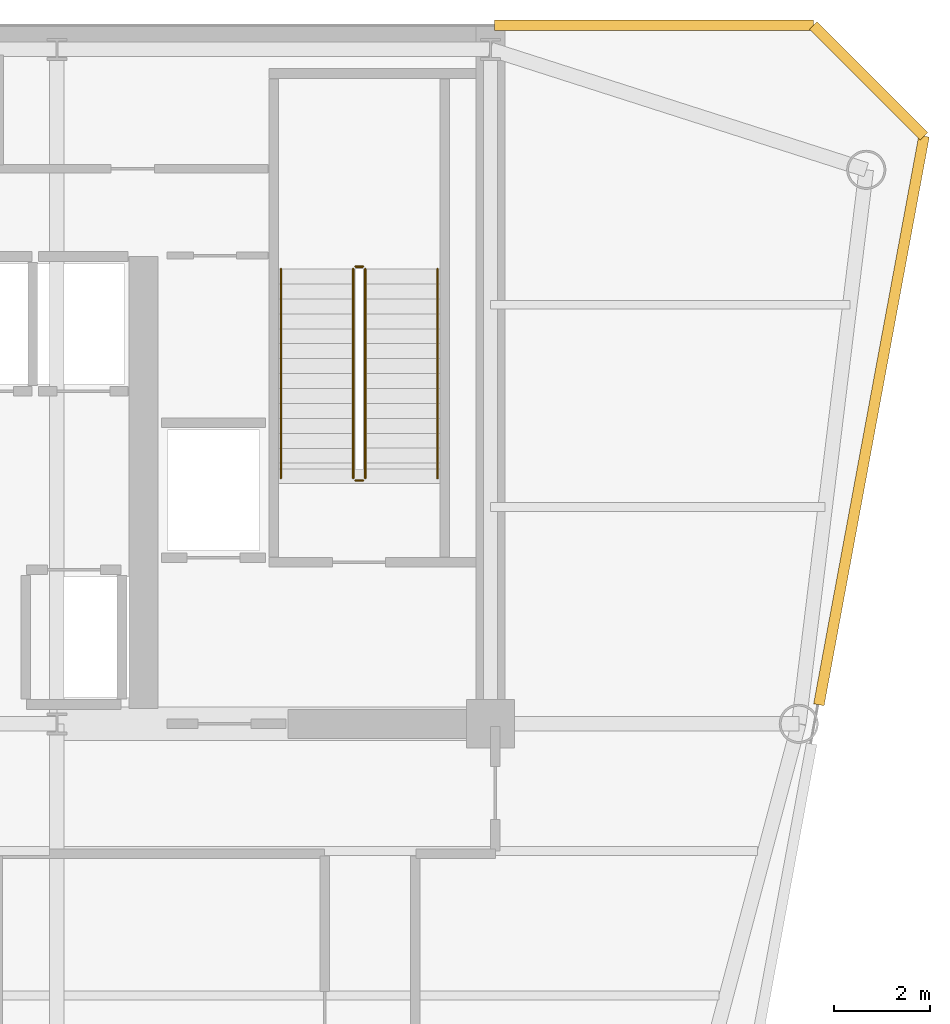
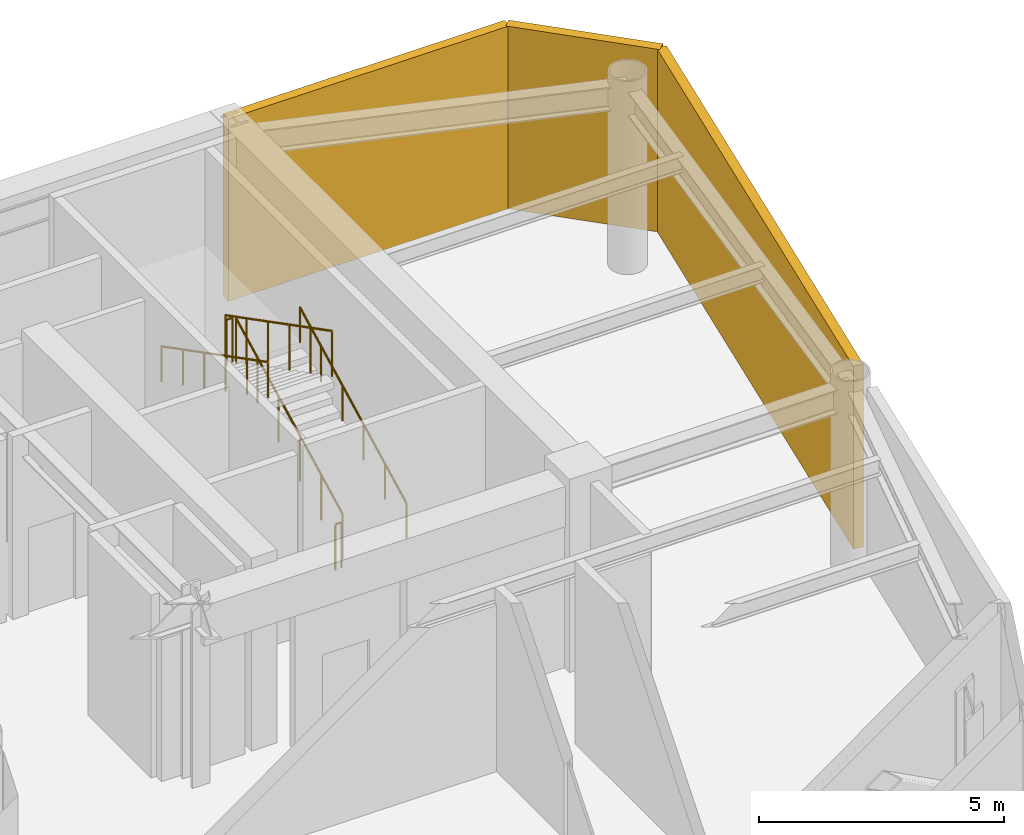
# One storey, part 9 of 9: 6 railings, 3 coverings.
"""IFC4 building model written with IfcOpenShell, lengths in metres."""

from ifc_helpers import new_model, si_unit, direction, frame, origin, origin_2d, place, context, subcontext, project, spatial, rectangle, circle, extrude, source, transform, mapped, material, layer, layer_set, type_object, element, save


model = new_model("IFC4")

# Units and contexts
model_context = context("Model", 3, precision=1e-05, world=origin(), true_north=direction((0.0, 1.0)))
body_context = subcontext(model_context, "Body", "Model", "MODEL_VIEW")
ifc_project = project(units=[si_unit("LENGTHUNIT", "METRE"), si_unit("AREAUNIT", "SQUARE_METRE"), si_unit("VOLUMEUNIT", "CUBIC_METRE"), si_unit("PLANEANGLEUNIT", "RADIAN"), si_unit("MASSUNIT", "GRAM", prefix="KILO")], contexts=[model_context])

# Site, building, storey
site_placement = place(None, origin())
site = spatial("IfcSite", under=ifc_project, at=site_placement, CompositionType="ELEMENT")
building_placement = place(site_placement, origin())
building = spatial("IfcBuilding", under=site, at=building_placement, Name="Vaeldorn Concourse Tower", CompositionType="ELEMENT")
storey_placement = place(building_placement, frame((0.0, 0.0, 218.39990234375)))
storey = spatial("IfcBuildingStorey", under=building, at=storey_placement, Name="L56", CompositionType="ELEMENT", Elevation=218.39990234375)

# Railings
ifc_material = material(Name="Anodised Bronze Aluminium", Category="aluminium")
railing_type_1 = type_object("IfcRailingType", Name="RL-STAIR-GUARD", PredefinedType="GUARDRAIL", material=ifc_material)
railing_1_placement = place(storey_placement, frame((51.39990234375, 41.60009765625, 0.16015625)))
element("IfcRailing", 1, at=railing_1_placement, inside=storey, type_object=railing_type_1, Name="L56 ST-2 stair guard 1", PredefinedType="GUARDRAIL", context=body_context, shape_type="SweptSolid", body=[
    extrude(circle(Radius=0.02392578125, at=origin_2d()), frame((0.0, 0.0, 1.1259765625), z_axis=(0.0, 0.888614742027, 0.458654379956), x_axis=(-1.0, 0.0, 0.0)), (0.0, 0.0, 1.0), 4.8837890625),
    extrude(circle(Radius=0.02099609375, at=origin_2d()), origin(), (0.0, 0.0, 1.0), 1.101806640625),
    extrude(circle(Radius=0.02099609375, at=origin_2d()), frame((0.0, 0.867919921875, 0.447998046875)), (0.0, 0.0, 1.0), 1.101806640625),
    extrude(circle(Radius=0.02099609375, at=origin_2d()), frame((0.0, 1.73583984375, 0.89599609375)), (0.0, 0.0, 1.0), 1.101806640625),
    extrude(circle(Radius=0.02099609375, at=origin_2d()), frame((0.0, 2.60400390625, 1.343994140625)), (0.0, 0.0, 1.0), 1.101806640625),
    extrude(circle(Radius=0.02099609375, at=origin_2d()), frame((0.0, 3.471923828125, 1.7919921875)), (0.0, 0.0, 1.0), 1.101806640625),
    extrude(circle(Radius=0.02099609375, at=origin_2d()), frame((0.0, 4.33984375, 2.239990234375)), (0.0, 0.0, 1.0), 1.101806640625),
])
railing_2_placement = place(storey_placement, frame((51.35009765625, 45.989990234375, 2.400146484375)))
element("IfcRailing", 2, at=railing_2_placement, inside=storey, type_object=railing_type_1, Name="L56 ST-2 stair guard 2", PredefinedType="GUARDRAIL", context=body_context, shape_type="SweptSolid", body=[
    extrude(circle(Radius=0.02392578125, at=origin_2d()), frame((0.0, 0.0, 1.1259765625), z_axis=(-1.0, 0.0, 0.0), x_axis=(0.0, -1.0, 0.0)), (0.0, 0.0, 1.0), 0.150146484375),
    extrude(circle(Radius=0.02099609375, at=origin_2d()), origin(), (0.0, 0.0, 1.0), 1.101806640625),
    extrude(circle(Radius=0.02099609375, at=origin_2d()), frame((-0.150146484375, 0.0, 0.0)), (0.0, 0.0, 1.0), 1.101806640625),
])
railing_3_placement = place(storey_placement, frame((51.14990234375, 45.93994140625, 2.56005859375)))
element("IfcRailing", 3, at=railing_3_placement, inside=storey, type_object=railing_type_1, Name="L56 ST-2 stair guard 3", PredefinedType="GUARDRAIL", context=body_context, shape_type="SweptSolid", body=[
    extrude(circle(Radius=0.02392578125, at=origin_2d()), frame((0.0, 0.0, 1.1259765625), z_axis=(0.0, -0.888614742027, 0.458654379956), x_axis=(1.0, 0.0, 0.0)), (0.0, 0.0, 1.0), 4.8837890625),
    extrude(circle(Radius=0.02099609375, at=origin_2d()), origin(), (0.0, 0.0, 1.0), 1.101806640625),
    extrude(circle(Radius=0.02099609375, at=origin_2d()), frame((0.0, -0.867919921875, 0.447998046875)), (0.0, 0.0, 1.0), 1.101806640625),
    extrude(circle(Radius=0.02099609375, at=origin_2d()), frame((0.0, -1.73583984375, 0.89599609375)), (0.0, 0.0, 1.0), 1.101806640625),
    extrude(circle(Radius=0.02099609375, at=origin_2d()), frame((0.0, -2.60400390625, 1.343994140625)), (0.0, 0.0, 1.0), 1.101806640625),
    extrude(circle(Radius=0.02099609375, at=origin_2d()), frame((0.0, -3.471923828125, 1.7919921875)), (0.0, 0.0, 1.0), 1.101806640625),
    extrude(circle(Radius=0.02099609375, at=origin_2d()), frame((0.0, -4.33984375, 2.239990234375)), (0.0, 0.0, 1.0), 1.101806640625),
])
railing_4_placement = place(storey_placement, frame((51.35009765625, 41.550048828125, 0.0)))
element("IfcRailing", 4, at=railing_4_placement, inside=storey, type_object=railing_type_1, Name="L56 ST-2 stair guard 4", PredefinedType="GUARDRAIL", context=body_context, shape_type="SweptSolid", body=[
    extrude(circle(Radius=0.02392578125, at=origin_2d()), frame((0.0, 0.0, 1.1259765625), z_axis=(-1.0, 0.0, 0.0), x_axis=(0.0, -1.0, 0.0)), (0.0, 0.0, 1.0), 0.150146484375),
    extrude(circle(Radius=0.02099609375, at=origin_2d()), origin(), (0.0, 0.0, 1.0), 1.101806640625),
    extrude(circle(Radius=0.02099609375, at=origin_2d()), frame((-0.150146484375, 0.0, 0.0)), (0.0, 0.0, 1.0), 1.101806640625),
])
railing_type_2 = type_object("IfcRailingType", Name="RL-STAIR-HANDRAIL", PredefinedType="HANDRAIL", material=ifc_material)
railing_5_placement = place(storey_placement, frame((52.89990234375, 41.60009765625, 0.16015625)))
element("IfcRailing", 5, at=railing_5_placement, inside=storey, type_object=railing_type_2, Name="L56 ST-2 stair handrail 1", PredefinedType="HANDRAIL", context=body_context, shape_type="SweptSolid", body=[
    extrude(circle(Radius=0.02392578125, at=origin_2d()), frame((0.0, 0.0, 0.8759765625), z_axis=(0.0, 0.888614742027, 0.458654379956), x_axis=(-1.0, 0.0, 0.0)), (0.0, 0.0, 1.0), 4.8837890625),
    extrude(circle(Radius=0.02099609375, at=origin_2d()), origin(), (0.0, 0.0, 1.0), 0.851806640625),
    extrude(circle(Radius=0.02099609375, at=origin_2d()), frame((0.0, 0.867919921875, 0.447998046875)), (0.0, 0.0, 1.0), 0.851806640625),
    extrude(circle(Radius=0.02099609375, at=origin_2d()), frame((0.0, 1.73583984375, 0.89599609375)), (0.0, 0.0, 1.0), 0.851806640625),
    extrude(circle(Radius=0.02099609375, at=origin_2d()), frame((0.0, 2.60400390625, 1.343994140625)), (0.0, 0.0, 1.0), 0.851806640625),
    extrude(circle(Radius=0.02099609375, at=origin_2d()), frame((0.0, 3.471923828125, 1.7919921875)), (0.0, 0.0, 1.0), 0.851806640625),
    extrude(circle(Radius=0.02099609375, at=origin_2d()), frame((0.0, 4.33984375, 2.239990234375)), (0.0, 0.0, 1.0), 0.851806640625),
])
railing_6_placement = place(storey_placement, frame((49.64990234375, 45.93994140625, 2.56005859375)))
element("IfcRailing", 6, at=railing_6_placement, inside=storey, type_object=railing_type_2, Name="L56 ST-2 stair handrail 2", PredefinedType="HANDRAIL", context=body_context, shape_type="SweptSolid", body=[
    extrude(circle(Radius=0.02392578125, at=origin_2d()), frame((0.0, 0.0, 0.8759765625), z_axis=(0.0, -0.888614742027, 0.458654379956), x_axis=(1.0, 0.0, 0.0)), (0.0, 0.0, 1.0), 4.8837890625),
    extrude(circle(Radius=0.02099609375, at=origin_2d()), origin(), (0.0, 0.0, 1.0), 0.851806640625),
    extrude(circle(Radius=0.02099609375, at=origin_2d()), frame((0.0, -0.867919921875, 0.447998046875)), (0.0, 0.0, 1.0), 0.851806640625),
    extrude(circle(Radius=0.02099609375, at=origin_2d()), frame((0.0, -1.73583984375, 0.89599609375)), (0.0, 0.0, 1.0), 0.851806640625),
    extrude(circle(Radius=0.02099609375, at=origin_2d()), frame((0.0, -2.60400390625, 1.343994140625)), (0.0, 0.0, 1.0), 0.851806640625),
    extrude(circle(Radius=0.02099609375, at=origin_2d()), frame((0.0, -3.471923828125, 1.7919921875)), (0.0, 0.0, 1.0), 0.851806640625),
    extrude(circle(Radius=0.02099609375, at=origin_2d()), frame((0.0, -4.33984375, 2.239990234375)), (0.0, 0.0, 1.0), 0.851806640625),
])

# Coverings
ifc_layer = layer(ifc_material, 1.60009765625)
ifc_layer_set = layer_set([ifc_layer], Name="Anodised Bronze Aluminium")
covering_type = type_object("IfcCoveringType", Name="SD-BRONZE-LOUVRE", PredefinedType="USERDEFINED", material=ifc_layer_set)
shared_shape_1 = source(origin(), body_context, "Body", "SweptSolid", [
    extrude(rectangle(XDim=3.252685546875, YDim=0.219970703125, at=origin_2d()), origin(), (0.0, 0.0, 1.0), 4.5400390625),
])
covering_1_placement = place(storey_placement, frame((61.85009765625, 49.85009765625, 0.0), z_axis=(0.0, 0.0, 1.0), x_axis=(-0.707106781187, 0.707106781187, 0.0)))
element("IfcCovering", 7, at=covering_1_placement, inside=storey, type_object=covering_type, Name="Refuge Band Bronze Acoustic Louvre L56-08.1", ObjectType="LOUVRE", PredefinedType="USERDEFINED", context=body_context, shape_type="MappedRepresentation", body=[
    mapped(shared_shape_1, transform((0.0, 0.0, 0.0), scale=1.0)),
])
shared_shape_2 = source(origin(), body_context, "Body", "SweptSolid", [
    extrude(rectangle(XDim=6.6201171875, YDim=0.219970703125, at=origin_2d()), origin(), (0.0, 0.0, 1.0), 4.5400390625),
])
covering_2_placement = place(storey_placement, frame((57.389892578125, 51.0, 0.0), z_axis=(0.0, 0.0, 1.0), x_axis=(-1.0, 0.0, 0.0)))
element("IfcCovering", 8, at=covering_2_placement, inside=storey, type_object=covering_type, Name="Refuge Band Bronze Acoustic Louvre L56-09.1", ObjectType="LOUVRE", PredefinedType="USERDEFINED", context=body_context, shape_type="MappedRepresentation", body=[
    mapped(shared_shape_2, transform((0.0, 0.0, 0.0), scale=1.0)),
])
shared_shape_3 = source(origin(), body_context, "Body", "SweptSolid", [
    extrude(rectangle(XDim=12.004638671875, YDim=0.219970703125, at=origin_2d()), origin(), (0.0, 0.0, 1.0), 4.5400390625),
])
covering_3_placement = place(storey_placement, frame((61.908203125, 42.7978515625, 0.0), z_axis=(0.0, 0.0, 1.0), x_axis=(0.181892293686, 0.983318459858, 0.0)))
element("IfcCovering", 9, at=covering_3_placement, inside=storey, type_object=covering_type, Name="Refuge Band Bronze Acoustic Louvre L56-07.2", ObjectType="LOUVRE", PredefinedType="USERDEFINED", context=body_context, shape_type="MappedRepresentation", body=[
    mapped(shared_shape_3, transform((0.0, 0.0, 0.0), scale=1.0)),
])

save(model, "model.ifc")
